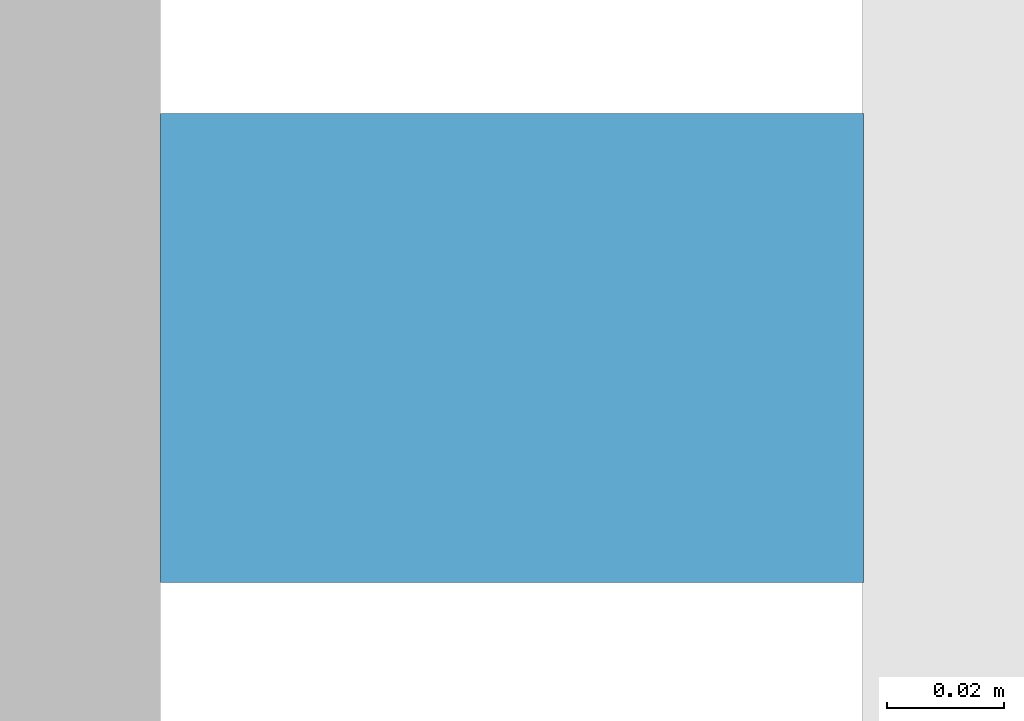
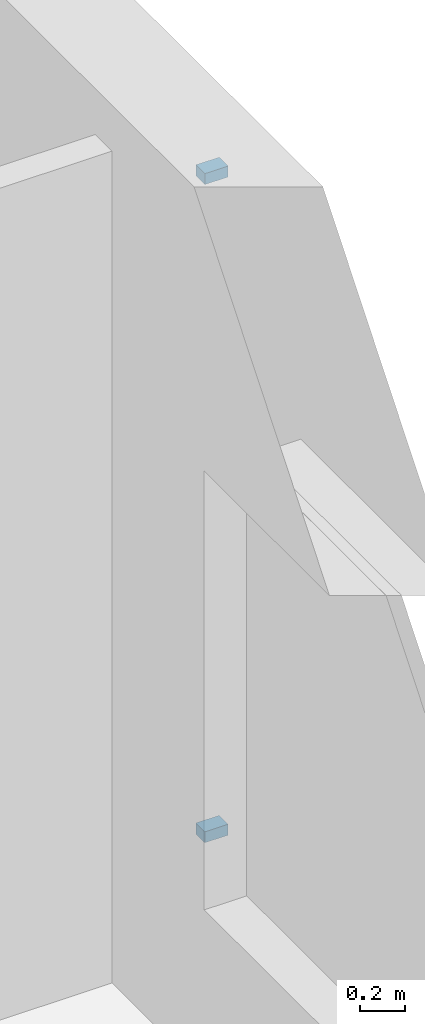
# One storey, part 89 of 127: 2 discrete accessories.
"""IFC4 building model written with IfcOpenShell, lengths in metres."""

import ifcopenshell
import ifcopenshell.guid

model = None  # the IFC model being written
_history = None  # IfcOwnerHistory: only IFC2X3 demands one
_inside = {}  # id of a spatial element -> (the spatial element, [elements in it])
_under = {}  # id of a project, library or spatial element -> (it, [spatial elements below it])
_declared = {}  # id of a project -> (the project, [libraries it declares])
_typed = {}  # id of a type object -> (the type object, [elements of that type])
_made_of = {}  # id of a material, layer set ... -> (it, [elements and type objects made of it])


def new_model(schema):
    """Start an empty IFC model of exactly this schema.

    Asked for "IFC4X3", IfcOpenShell would pick the latest addendum, in which some entities
    have other attributes; the version numbers below select the first issue.
    IFC2X3 requires an IfcOwnerHistory on every rooted entity: one is made here for all.
    """
    global model, _history
    if schema == "IFC4X3":
        model = ifcopenshell.file(schema_version=(4, 3, 0, 0))
    else:
        model = ifcopenshell.file(schema=schema)
    _inside.clear()
    _under.clear()
    _declared.clear()
    _typed.clear()
    _made_of.clear()
    _history = None
    if model.schema == "IFC2X3":
        org = make("IfcOrganization", Name="unknown")
        user = make(
            "IfcPersonAndOrganization",
            ThePerson=make("IfcPerson", FamilyName="unknown"),
            TheOrganization=org,
        )
        app = make(
            "IfcApplication",
            ApplicationDeveloper=org,
            Version="unknown",
            ApplicationFullName="unknown",
            ApplicationIdentifier="unknown",
        )
        _history = make(
            "IfcOwnerHistory",
            OwningUser=user,
            OwningApplication=app,
            ChangeAction="ADDED",
            CreationDate=0,
        )
    return model


def make(cls, **values):
    """One entity of the class cls with the attributes given. An attribute that is None is left unset."""
    return model.create_entity(
        cls, **{name: value for name, value in values.items() if value is not None}
    )


def rooted(cls, **values):
    """An entity with a GlobalId (a new one), such as an element, a storey or a relation."""
    return make(cls, GlobalId=ifcopenshell.guid.new(), OwnerHistory=_history, **values)


def si_unit(unit_type, name, prefix=None):
    """IfcSIUnit, for example si_unit("LENGTHUNIT", "METRE", prefix="MILLI")."""
    return make("IfcSIUnit", UnitType=unit_type, Prefix=prefix, Name=name)


def assignment(units):
    """IfcUnitAssignment: the units of a project."""
    return None if units is None else make("IfcUnitAssignment", Units=units)


def point(xyz):
    """IfcCartesianPoint."""
    return None if xyz is None else make("IfcCartesianPoint", Coordinates=xyz)


def direction(xyz):
    """IfcDirection."""
    return None if xyz is None else make("IfcDirection", DirectionRatios=xyz)


def frame(location, z_axis=None, x_axis=None):
    """IfcAxis2Placement3D, a coordinate frame: its origin and axes. An axis left out is left unset."""
    return make(
        "IfcAxis2Placement3D",
        Location=point(location),
        Axis=direction(z_axis),
        RefDirection=direction(x_axis),
    )


def frame_2d(location, x_axis=None):
    """IfcAxis2Placement2D, a coordinate frame in the plane: its origin and x axis."""
    return make(
        "IfcAxis2Placement2D", Location=point(location), RefDirection=direction(x_axis)
    )


def origin():
    """The frame at (0, 0, 0) with its axes left unset."""
    return frame((0.0, 0.0, 0.0))


def origin_2d():
    """The frame at (0, 0) in the plane with its x axis left unset."""
    return frame_2d((0.0, 0.0))


def place(relative_to, where):
    """IfcLocalPlacement: puts the frame where relative to a parent placement (None: the world)."""
    return make(
        "IfcLocalPlacement", PlacementRelTo=relative_to, RelativePlacement=where
    )


def context(
    kind, dimensions, precision=None, world=None, true_north=None, identifier=None
):
    """IfcGeometricRepresentationContext, for example the 3D "Model" context."""
    return make(
        "IfcGeometricRepresentationContext",
        ContextIdentifier=identifier,
        ContextType=kind,
        CoordinateSpaceDimension=dimensions,
        Precision=precision,
        WorldCoordinateSystem=world,
        TrueNorth=true_north,
    )


def subcontext(parent, identifier, kind, view, scale=None):
    """IfcGeometricRepresentationSubContext, for example "Body" below "Model"."""
    return make(
        "IfcGeometricRepresentationSubContext",
        ContextIdentifier=identifier,
        ContextType=kind,
        ParentContext=parent,
        TargetScale=scale,
        TargetView=view,
    )


def project(units=None, contexts=None):
    """IfcProject with its units and contexts."""
    return rooted(
        "IfcProject",
        Name="project",
        RepresentationContexts=contexts,
        UnitsInContext=assignment(units),
    )


def spatial(cls, under=None, at=None, **own):
    """A site, building, storey or space (cls), placed at a placement, below another one or the project."""
    s = rooted(cls, ObjectPlacement=at, **own)
    if under is not None:
        _under.setdefault(under.id(), (under, []))[1].append(s)
    return s


def profile(cls, at=None, kind="AREA", **sizes):
    """A parametric profile (cls). Its sizes go by their IFC names, for example OverallWidth=200.0."""
    return make(cls, ProfileType=kind, Position=at, **sizes)


def rectangle(**sizes):
    """IfcRectangleProfileDef."""
    return profile("IfcRectangleProfileDef", **sizes)


def extrude(swept, where, along, depth):
    """IfcExtrudedAreaSolid: the profile swept, set in the frame where, extruded along a direction by depth."""
    return make(
        "IfcExtrudedAreaSolid",
        SweptArea=swept,
        Position=where,
        ExtrudedDirection=direction(along),
        Depth=depth,
    )


def shape(context_of_items, identifier, shape_type, items):
    """IfcShapeRepresentation: the items that make up one representation, for example the "Body"."""
    return make(
        "IfcShapeRepresentation",
        ContextOfItems=context_of_items,
        RepresentationIdentifier=identifier,
        RepresentationType=shape_type,
        Items=items,
    )


def material(Name=None, Category=None):
    """IfcMaterial."""
    return make("IfcMaterial", Name=Name, Category=Category)


def made_of(thing, what):
    """Note that an element or type object is made of a material, layer set ...; save() writes the relation."""
    if what is not None:
        _made_of.setdefault(what.id(), (what, []))[1].append(thing)
    return thing


def type_object(cls, material=None, **own):
    """A type object (cls), such as IfcWallType, which elements share."""
    return made_of(rooted(cls, **own), material)


def element(
    cls,
    number,
    at=None,
    inside=None,
    cuts=None,
    type_object=None,
    material=None,
    context=None,
    identifier="Body",
    shape_type=None,
    held_by="IfcProductDefinitionShape",
    body=None,
    shapes=None,
    **own,
):
    """One element of the class cls, such as IfcWall. Its Tag is "e" and its number.

    at: its placement. inside: the storey or other place that contains it. cuts: it is an
    opening in that element (IfcRelVoidsElement). A single representation is given by context,
    identifier, shape_type and body (its items); several are given by shapes. held_by: the class
    of the entity that holds the representations. save() writes the other relations.
    """
    e = rooted(cls, Tag="e%d" % number, ObjectPlacement=at, **own)
    if body is not None:
        shapes = [shape(context, identifier, shape_type, body)]
    if shapes is not None:
        e.Representation = make(held_by, Representations=shapes)
    if inside is not None:
        _inside.setdefault(inside.id(), (inside, []))[1].append(e)
    if cuts is not None:
        rooted(
            "IfcRelVoidsElement", RelatingBuildingElement=cuts, RelatedOpeningElement=e
        )
    if type_object is not None:
        _typed.setdefault(type_object.id(), (type_object, []))[1].append(e)
    return made_of(e, material)


def aggregate(whole, parts):
    """IfcRelAggregates: a whole, such as a stair, and the parts it consists of."""
    return rooted("IfcRelAggregates", RelatingObject=whole, RelatedObjects=parts)


def save(model, path):
    """Write the relations noted so far, then the file.

    IfcRelAggregates (storeys below a building ...), IfcRelContainedInSpatialStructure (elements
    in a storey), IfcRelDefinesByType, IfcRelAssociatesMaterial and IfcRelDeclares: one each for
    every whole, place, type object, material and project.
    """
    for whole, parts in _under.values():
        aggregate(whole, parts)
    for where, things in _inside.values():
        rooted(
            "IfcRelContainedInSpatialStructure",
            RelatedElements=things,
            RelatingStructure=where,
        )
    for kind, things in _typed.values():
        rooted("IfcRelDefinesByType", RelatedObjects=things, RelatingType=kind)
    for what, things in _made_of.values():
        rooted("IfcRelAssociatesMaterial", RelatedObjects=things, RelatingMaterial=what)
    for by, libraries in _declared.values():
        rooted("IfcRelDeclares", RelatingContext=by, RelatedDefinitions=libraries)
    model.write(path)


model = new_model("IFC4")

# Units and contexts
model_context = context("Model", 3, precision=1e-05, world=origin(), true_north=direction((0.0, 1.0)))
body_context = subcontext(model_context, "Body", "Model", "MODEL_VIEW")
ifc_project = project(units=[si_unit("LENGTHUNIT", "METRE"), si_unit("AREAUNIT", "SQUARE_METRE"), si_unit("VOLUMEUNIT", "CUBIC_METRE"), si_unit("PLANEANGLEUNIT", "RADIAN"), si_unit("MASSUNIT", "GRAM", prefix="KILO")], contexts=[model_context])

# Site, building, storey
site_placement = place(None, origin())
site = spatial("IfcSite", under=ifc_project, at=site_placement, CompositionType="ELEMENT")
building_placement = place(site_placement, origin())
building = spatial("IfcBuilding", under=site, at=building_placement, Name="Ljudholm Concert House", CompositionType="ELEMENT")
storey_placement = place(building_placement, frame((0.0, 0.0, 5.39990234375)))
storey = spatial("IfcBuildingStorey", under=building, at=storey_placement, Name="L01", CompositionType="ELEMENT", Elevation=5.39990234375)

# Discrete accessories
ifc_material = material(Name="Stainless steel bracket", Category="steel")
discrete_accessory_type = type_object("IfcDiscreteAccessoryType", Name="BRACKET 120", PredefinedType="BRACKET", material=ifc_material)
for number, where, z_axis, x_axis, name in (
    (1, (46.31005859375, 31.300048828125, 0.570068359375), (0.0, 0.0, 1.0), (1.0, 0.0, 0.0), "Fin bracket"),
    (2, (46.31005859375, 31.300048828125, 4.170166015625), (0.0, 0.0, 1.0), (1.0, 0.0, 0.0), "Fin bracket"),
):
    element("IfcDiscreteAccessory", number, at=place(storey_placement, frame(where, z_axis=z_axis, x_axis=x_axis)), inside=storey, type_object=discrete_accessory_type, Name=name, PredefinedType="BRACKET", context=body_context, shape_type="SweptSolid", body=[
        extrude(rectangle(XDim=0.1201171875, YDim=0.080078125, at=origin_2d()), origin(), (0.0, 0.0, 1.0), 0.06005859375),
    ])

save(model, "model.ifc")
